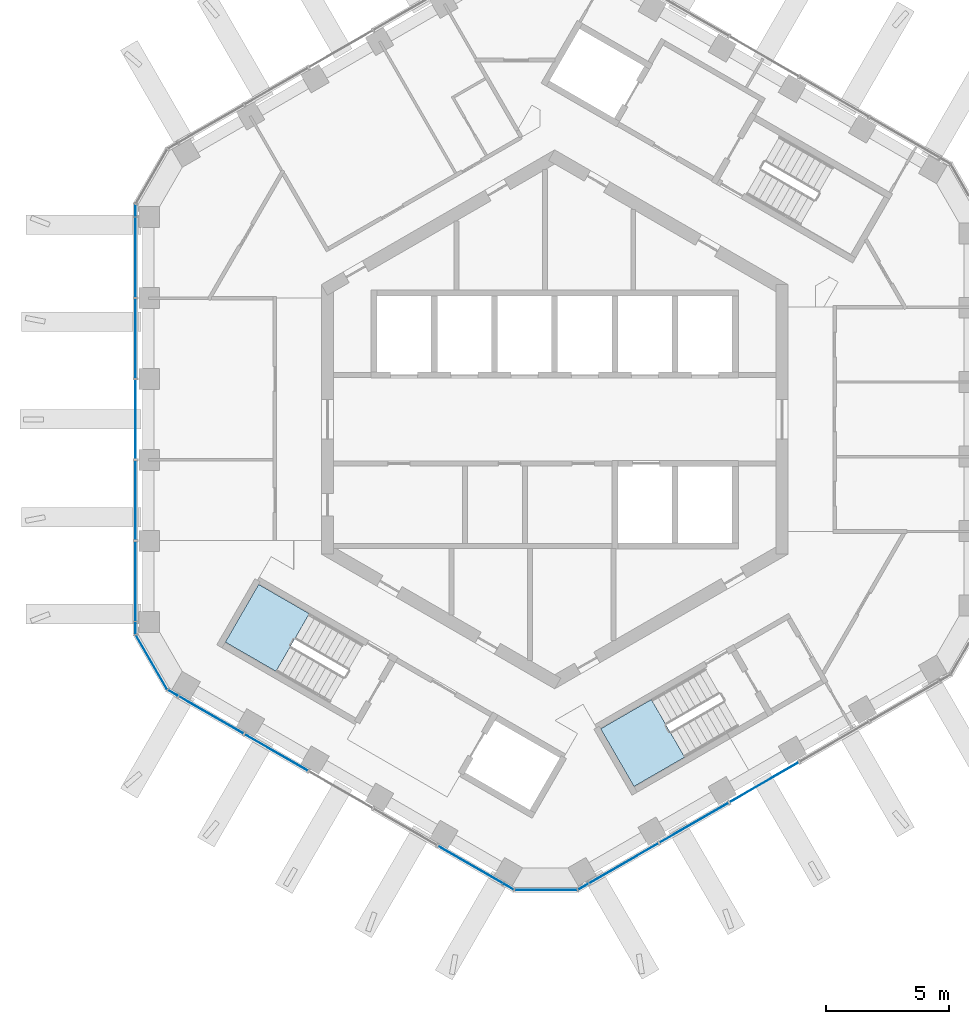
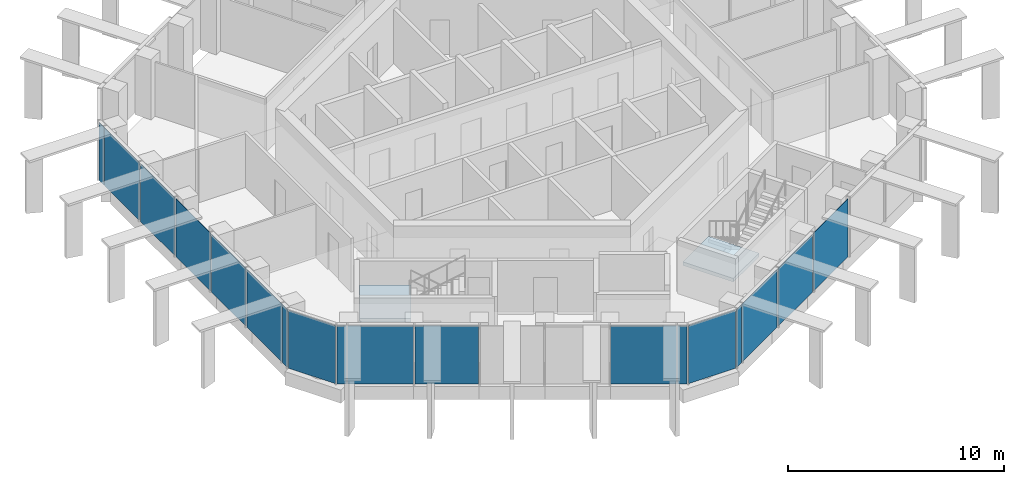
# One storey, part 7 of 18: 18 plates, 2 slabs, 8 elements without a shape of their own.
"""IFC4 building model written with IfcOpenShell, lengths in metres."""

from ifc_helpers import new_model, si_unit, direction, frame, origin, origin_2d, place, context, subcontext, project, spatial, polyline, rectangle, outline, extrude, material, layer, layer_set, type_object, element, aggregate, save


model = new_model("IFC4")

# Units and contexts
model_context = context("Model", 3, precision=1e-05, world=origin(), true_north=direction((0.0, 1.0)))
body_context = subcontext(model_context, "Body", "Model", "MODEL_VIEW")
ifc_project = project(units=[si_unit("LENGTHUNIT", "METRE"), si_unit("AREAUNIT", "SQUARE_METRE"), si_unit("VOLUMEUNIT", "CUBIC_METRE"), si_unit("PLANEANGLEUNIT", "RADIAN"), si_unit("MASSUNIT", "GRAM", prefix="KILO")], contexts=[model_context])

# Site, building, storey
site_placement = place(None, origin())
site = spatial("IfcSite", under=ifc_project, at=site_placement, CompositionType="ELEMENT")
building_placement = place(site_placement, origin())
building = spatial("IfcBuilding", under=site, at=building_placement, Name="Ayvan Gate Tower", CompositionType="ELEMENT")
storey_placement = place(building_placement, frame((0.0, 0.0, 239.300048828125)))
storey = spatial("IfcBuildingStorey", under=building, at=storey_placement, Name="L64", CompositionType="ELEMENT", Elevation=239.300048828125)

# Stair, slab
ifc_material_1 = material(Name="Concrete C40/50", Category="concrete")
stair_type = type_object("IfcStairType", Name="ST-EXIT", PredefinedType="HALF_TURN_STAIR", material=ifc_material_1)
stair_1_placement = place(storey_placement, origin())
stair_1 = element("IfcStair", 1, at=stair_1_placement, inside=storey, type_object=stair_type, Name="L64 Exit Stair S2", PredefinedType="HALF_TURN_STAIR")
ifc_layer_1 = layer(ifc_material_1, 0.199951171875)
ifc_layer_set_1 = layer_set([ifc_layer_1], Name="Concrete C40/50")
slab_type = type_object("IfcSlabType", Name="SL-LANDING-200", PredefinedType="LANDING", material=ifc_layer_set_1)
slab_1_placement = place(storey_placement, frame((0.0, 0.0, 1.5)))
slab_1 = element("IfcSlab", 2, at=slab_1_placement, type_object=slab_type, Name="STS2 landing 1", PredefinedType="LANDING", context=body_context, shape_type="SweptSolid", body=[
    extrude(outline(polyline([(-9.988525390625, -7.91064453125), (-12.049560546875, -6.720458984375), (-13.404541015625, -9.0673828125), (-11.343505859375, -10.257568359375), (-9.988525390625, -7.91064453125)])), origin(), (0.0, 0.0, 1.0), 0.199951171875),
])
aggregate(stair_1, [slab_1])

stair_2_placement = place(storey_placement, origin())
stair_2 = element("IfcStair", 3, at=stair_2_placement, inside=storey, type_object=stair_type, Name="L64 Exit Stair S3", PredefinedType="HALF_TURN_STAIR")
slab_2_placement = place(storey_placement, frame((0.0, 0.0, 1.5)))
slab_2 = element("IfcSlab", 4, at=slab_2_placement, type_object=slab_type, Name="STS3 landing 1", PredefinedType="LANDING", context=body_context, shape_type="SweptSolid", body=[
    extrude(outline(polyline([(3.93505859375, -11.405517578125), (1.873779296875, -12.595458984375), (3.228759765625, -14.9423828125), (5.2900390625, -13.75244140625), (3.93505859375, -11.405517578125)])), origin(), (0.0, 0.0, 1.0), 0.199951171875),
])
aggregate(stair_2, [slab_2])

# Curtain wall, plates
ifc_material_2 = material(Name="Bronze anodised aluminium", Category="aluminium")
ifc_layer_2 = layer(ifc_material_2, 0.199951171875)
ifc_layer_set_2 = layer_set([ifc_layer_2], Name="Bronze anodised aluminium")
curtain_wall_type_1 = type_object("IfcCurtainWallType", Name="Stick curtain wall CW-2", PredefinedType="NOTDEFINED", material=ifc_layer_set_2)
curtain_wall_1_placement = place(storey_placement, origin())
curtain_wall_1 = element("IfcCurtainWall", 5, at=curtain_wall_1_placement, inside=storey, type_object=curtain_wall_type_1, Name="Stick curtain wall CW-2 L64", PredefinedType="NOTDEFINED")
ifc_material_3 = material(Name="Clear low-iron laminated glass", Category="glass")
ifc_layer_3 = layer(ifc_material_3, 0.028076171875)
ifc_layer_set_3 = layer_set([ifc_layer_3], Name="Clear low-iron laminated glass")
plate_type_1 = type_object("IfcPlateType", Name="Stick curtain wall CW-2 glass panel", PredefinedType="CURTAIN_PANEL", material=ifc_layer_set_3)
plate_1_placement = place(storey_placement, frame((-17.056396484375, 6.61865234375, 0.0), z_axis=(0.0, 0.0, 1.0), x_axis=(0.0, -1.0, 0.0)))
plate_1 = element("IfcPlate", 6, at=plate_1_placement, type_object=plate_type_1, Name="CW-2 glass panel 1", PredefinedType="CURTAIN_PANEL", context=body_context, shape_type="SweptSolid", body=[
    extrude(rectangle(XDim=3.278076171875, YDim=0.028076171875, at=origin_2d()), origin(), (0.0, 0.0, 1.0), 3.280029296875),
])
plate_2_placement = place(storey_placement, frame((-17.056396484375, 3.296142578125, 0.0), z_axis=(0.0, 0.0, 1.0), x_axis=(0.0, -1.0, 0.0)))
plate_2 = element("IfcPlate", 7, at=plate_2_placement, type_object=plate_type_1, Name="CW-2 glass panel 2", PredefinedType="CURTAIN_PANEL", context=body_context, shape_type="SweptSolid", body=[
    extrude(rectangle(XDim=3.22705078125, YDim=0.028076171875, at=origin_2d()), origin(), (0.0, 0.0, 1.0), 3.280029296875),
])
plate_3_placement = place(storey_placement, frame((-17.056396484375, -0.000244140625, 0.0), z_axis=(0.0, 0.0, 1.0), x_axis=(0.0, -1.0, 0.0)))
plate_3 = element("IfcPlate", 8, at=plate_3_placement, type_object=plate_type_1, Name="CW-2 glass panel 3", PredefinedType="CURTAIN_PANEL", context=body_context, shape_type="SweptSolid", body=[
    extrude(rectangle(XDim=3.22607421875, YDim=0.028076171875, at=origin_2d()), origin(), (0.0, 0.0, 1.0), 3.280029296875),
])
plate_4_placement = place(storey_placement, frame((-17.056396484375, -3.29638671875, 0.0), z_axis=(0.0, 0.0, 1.0), x_axis=(0.0, -1.0, 0.0)))
plate_4 = element("IfcPlate", 9, at=plate_4_placement, type_object=plate_type_1, Name="CW-2 glass panel 4", PredefinedType="CURTAIN_PANEL", context=body_context, shape_type="SweptSolid", body=[
    extrude(rectangle(XDim=3.22607421875, YDim=0.028076171875, at=origin_2d()), origin(), (0.0, 0.0, 1.0), 3.280029296875),
])
plate_5_placement = place(storey_placement, frame((-17.056396484375, -6.618408203125, 0.0), z_axis=(0.0, 0.0, 1.0), x_axis=(0.0, -1.0, 0.0)))
plate_5 = element("IfcPlate", 10, at=plate_5_placement, type_object=plate_type_1, Name="CW-2 glass panel 5", PredefinedType="CURTAIN_PANEL", context=body_context, shape_type="SweptSolid", body=[
    extrude(rectangle(XDim=3.2783203125, YDim=0.028076171875, at=origin_2d()), origin(), (0.0, 0.0, 1.0), 3.280029296875),
])
aggregate(curtain_wall_1, [plate_1, plate_2, plate_3, plate_4, plate_5])

curtain_wall_2_placement = place(storey_placement, origin())
curtain_wall_2 = element("IfcCurtainWall", 11, at=curtain_wall_2_placement, inside=storey, type_object=curtain_wall_type_1, Name="Stick curtain wall CW-2 L64", PredefinedType="NOTDEFINED")
plate_6_placement = place(storey_placement, frame((-13.99755859375, -12.024658203125, 0.0), z_axis=(0.0, 0.0, 1.0), x_axis=(0.866025403784, -0.5, 0.0)))
plate_6 = element("IfcPlate", 12, at=plate_6_placement, type_object=plate_type_1, Name="CW-2 glass panel 1", PredefinedType="CURTAIN_PANEL", context=body_context, shape_type="SweptSolid", body=[
    extrude(rectangle(XDim=3.06201171875, YDim=0.028076171875, at=origin_2d()), origin(), (0.0, 0.0, 1.0), 3.280029296875),
])
plate_7_placement = place(storey_placement, frame((-11.329833984375, -13.56494140625, 0.0), z_axis=(0.0, 0.0, 1.0), x_axis=(0.866025403784, -0.5, 0.0)))
plate_7 = element("IfcPlate", 13, at=plate_7_placement, type_object=plate_type_1, Name="CW-2 glass panel 2", PredefinedType="CURTAIN_PANEL", context=body_context, shape_type="SweptSolid", body=[
    extrude(rectangle(XDim=2.958984375, YDim=0.028076171875, at=origin_2d()), origin(), (0.0, 0.0, 1.0), 3.280029296875),
])
plate_8_placement = place(storey_placement, frame((-3.415283203125, -18.134521484375, 0.0), z_axis=(0.0, 0.0, 1.0), x_axis=(0.866025403784, -0.5, 0.0)))
plate_8 = element("IfcPlate", 14, at=plate_8_placement, type_object=plate_type_1, Name="CW-2 glass panel 5", PredefinedType="CURTAIN_PANEL", context=body_context, shape_type="SweptSolid", body=[
    extrude(rectangle(XDim=3.062744140625, YDim=0.028076171875, at=origin_2d()), origin(), (0.0, 0.0, 1.0), 3.280029296875),
])
aggregate(curtain_wall_2, [plate_6, plate_7, plate_8])

curtain_wall_3_placement = place(storey_placement, origin())
curtain_wall_3 = element("IfcCurtainWall", 15, at=curtain_wall_3_placement, inside=storey, type_object=curtain_wall_type_1, Name="Stick curtain wall CW-2 L64", PredefinedType="NOTDEFINED")
plate_9_placement = place(storey_placement, frame((2.79638671875, -18.08056640625, 0.0), z_axis=(0.0, 0.0, 1.0), x_axis=(0.866025403784, 0.5, 0.0)))
plate_9 = element("IfcPlate", 16, at=plate_9_placement, type_object=plate_type_1, Name="CW-2 glass panel 1", PredefinedType="CURTAIN_PANEL", context=body_context, shape_type="SweptSolid", body=[
    extrude(rectangle(XDim=3.278076171875, YDim=0.028076171875, at=origin_2d()), origin(), (0.0, 0.0, 1.0), 3.280029296875),
])
plate_10_placement = place(storey_placement, frame((5.673583984375, -16.41943359375, 0.0), z_axis=(0.0, 0.0, 1.0), x_axis=(0.866025403784, 0.5, 0.0)))
plate_10 = element("IfcPlate", 17, at=plate_10_placement, type_object=plate_type_1, Name="CW-2 glass panel 2", PredefinedType="CURTAIN_PANEL", context=body_context, shape_type="SweptSolid", body=[
    extrude(rectangle(XDim=3.22705078125, YDim=0.028076171875, at=origin_2d()), origin(), (0.0, 0.0, 1.0), 3.280029296875),
])
plate_11_placement = place(storey_placement, frame((8.528564453125, -14.77099609375, 0.0), z_axis=(0.0, 0.0, 1.0), x_axis=(0.866025403784, 0.5, 0.0)))
plate_11 = element("IfcPlate", 18, at=plate_11_placement, type_object=plate_type_1, Name="CW-2 glass panel 3", PredefinedType="CURTAIN_PANEL", context=body_context, shape_type="SweptSolid", body=[
    extrude(rectangle(XDim=3.22607421875, YDim=0.028076171875, at=origin_2d()), origin(), (0.0, 0.0, 1.0), 3.280029296875),
])
aggregate(curtain_wall_3, [plate_9, plate_10, plate_11])

# Curtain wall, plate
ifc_layer_4 = layer(ifc_material_2, 0.199951171875)
ifc_layer_set_4 = layer_set([ifc_layer_4], Name="Bronze anodised aluminium")
curtain_wall_type_2 = type_object("IfcCurtainWallType", Name="Stick curtain wall CW-6", PredefinedType="NOTDEFINED", material=ifc_layer_set_4)
curtain_wall_4_placement = place(storey_placement, origin())
curtain_wall_4 = element("IfcCurtainWall", 19, at=curtain_wall_4_placement, inside=storey, type_object=curtain_wall_type_2, Name="Stick curtain wall CW-6 L64", PredefinedType="NOTDEFINED")
ifc_layer_5 = layer(ifc_material_3, 0.028076171875)
ifc_layer_set_5 = layer_set([ifc_layer_5], Name="Clear low-iron laminated glass")
plate_type_2 = type_object("IfcPlateType", Name="Stick curtain wall CW-6 glass panel", PredefinedType="CURTAIN_PANEL", material=ifc_layer_set_5)
plate_12_placement = place(storey_placement, frame((-17.056396484375, 8.517578125, 0.0), z_axis=(0.0, 0.0, 1.0), x_axis=(0.0, -1.0, 0.0)))
plate_12 = element("IfcPlate", 20, at=plate_12_placement, type_object=plate_type_2, Name="CW-6 glass panel 3", PredefinedType="CURTAIN_PANEL", context=body_context, shape_type="SweptSolid", body=[
    extrude(rectangle(XDim=0.449951171875, YDim=0.028076171875, at=origin_2d()), origin(), (0.0, 0.0, 1.0), 3.280029296875),
])
aggregate(curtain_wall_4, [plate_12])

# Curtain wall, plates
curtain_wall_5_placement = place(storey_placement, origin())
curtain_wall_5 = element("IfcCurtainWall", 21, at=curtain_wall_5_placement, inside=storey, type_object=curtain_wall_type_2, Name="Stick curtain wall CW-6 L64", PredefinedType="NOTDEFINED")
plate_13_placement = place(storey_placement, frame((-17.056396484375, -8.517578125, 0.0), z_axis=(0.0, 0.0, 1.0), x_axis=(0.0, -1.0, 0.0)))
plate_13 = element("IfcPlate", 22, at=plate_13_placement, type_object=plate_type_2, Name="CW-6 glass panel 1", PredefinedType="CURTAIN_PANEL", context=body_context, shape_type="SweptSolid", body=[
    extrude(rectangle(XDim=0.449951171875, YDim=0.028076171875, at=origin_2d()), origin(), (0.0, 0.0, 1.0), 3.280029296875),
])
plate_14_placement = place(storey_placement, frame((-16.410888671875, -9.885986328125, 0.0), z_axis=(0.0, 0.0, 1.0), x_axis=(0.5, -0.866025403784, 0.0)))
plate_14 = element("IfcPlate", 23, at=plate_14_placement, type_object=plate_type_2, Name="CW-6 glass panel 2", PredefinedType="CURTAIN_PANEL", context=body_context, shape_type="SweptSolid", body=[
    extrude(rectangle(XDim=2.532470703125, YDim=0.028076171875, at=origin_2d()), origin(), (0.0, 0.0, 1.0), 3.280029296875),
])
plate_15_placement = place(storey_placement, frame((-15.548583984375, -11.129150390625, 0.0), z_axis=(0.0, 0.0, 1.0), x_axis=(0.866025403784, -0.5, 0.0)))
plate_15 = element("IfcPlate", 24, at=plate_15_placement, type_object=plate_type_2, Name="CW-6 glass panel 3", PredefinedType="CURTAIN_PANEL", context=body_context, shape_type="SweptSolid", body=[
    extrude(rectangle(XDim=0.449951171875, YDim=0.028076171875, at=origin_2d()), origin(), (0.0, 0.0, 1.0), 3.280029296875),
])
aggregate(curtain_wall_5, [plate_13, plate_14, plate_15])

curtain_wall_6_placement = place(storey_placement, origin())
curtain_wall_6 = element("IfcCurtainWall", 25, at=curtain_wall_6_placement, inside=storey, type_object=curtain_wall_type_2, Name="Stick curtain wall CW-6 L64", PredefinedType="NOTDEFINED")
plate_16_placement = place(storey_placement, frame((-1.86376953125, -19.030029296875, 0.0), z_axis=(0.0, 0.0, 1.0), x_axis=(0.866025403784, -0.5, 0.0)))
plate_16 = element("IfcPlate", 26, at=plate_16_placement, type_object=plate_type_2, Name="CW-6 glass panel 1", PredefinedType="CURTAIN_PANEL", context=body_context, shape_type="SweptSolid", body=[
    extrude(rectangle(XDim=0.449951171875, YDim=0.028076171875, at=origin_2d()), origin(), (0.0, 0.0, 1.0), 3.280029296875),
])
plate_17_placement = place(storey_placement, frame((-0.356201171875, -19.155029296875, 0.0), z_axis=(0.0, 0.0, 1.0), x_axis=(1.0, 0.0, 0.0)))
plate_17 = element("IfcPlate", 27, at=plate_17_placement, type_object=plate_type_2, Name="CW-6 glass panel 2", PredefinedType="CURTAIN_PANEL", context=body_context, shape_type="SweptSolid", body=[
    extrude(rectangle(XDim=2.532470703125, YDim=0.028076171875, at=origin_2d()), origin(), (0.0, 0.0, 1.0), 3.280029296875),
])
plate_18_placement = place(storey_placement, frame((1.151611328125, -19.030029296875, 0.0), z_axis=(0.0, 0.0, 1.0), x_axis=(0.866025403784, 0.5, 0.0)))
plate_18 = element("IfcPlate", 28, at=plate_18_placement, type_object=plate_type_2, Name="CW-6 glass panel 3", PredefinedType="CURTAIN_PANEL", context=body_context, shape_type="SweptSolid", body=[
    extrude(rectangle(XDim=0.449951171875, YDim=0.028076171875, at=origin_2d()), origin(), (0.0, 0.0, 1.0), 3.280029296875),
])
aggregate(curtain_wall_6, [plate_16, plate_17, plate_18])

save(model, "model.ifc")
